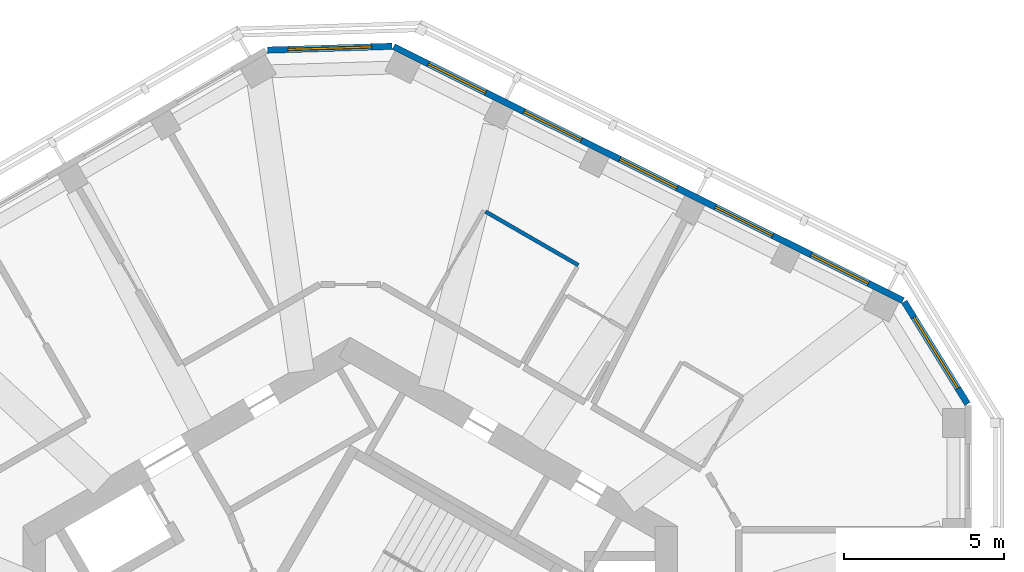
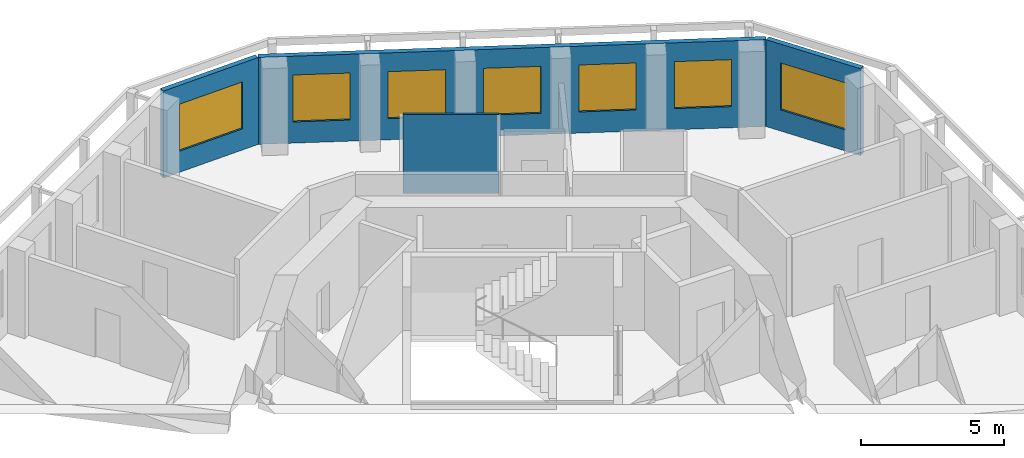
# One storey, part 8 of 11: 7 windows, 4 walls, 7 openings.
"""IFC4 building model written with IfcOpenShell, lengths in metres."""

from ifc_helpers import new_model, si_unit, direction, frame, frame_2d, origin, place, context, subcontext, project, spatial, rectangle, extrude, material, layer, layer_set, type_object, element, fill, save


model = new_model("IFC4")

# Units and contexts
model_context = context("Model", 3, precision=1e-05, world=origin(), true_north=direction((0.0, 1.0)))
body_context = subcontext(model_context, "Body", "Model", "MODEL_VIEW")
ifc_project = project(units=[si_unit("LENGTHUNIT", "METRE"), si_unit("AREAUNIT", "SQUARE_METRE"), si_unit("VOLUMEUNIT", "CUBIC_METRE"), si_unit("PLANEANGLEUNIT", "RADIAN"), si_unit("MASSUNIT", "GRAM", prefix="KILO")], contexts=[model_context])

# Site, building, storey
site_placement = place(None, origin())
site = spatial("IfcSite", under=ifc_project, at=site_placement, CompositionType="ELEMENT")
building_placement = place(site_placement, origin())
building = spatial("IfcBuilding", under=site, at=building_placement, Name="Vanh Sen Convention Tower", CompositionType="ELEMENT")
storey_placement = place(building_placement, frame((0.0, 0.0, 296.800048828125)))
storey = spatial("IfcBuildingStorey", under=building, at=storey_placement, Name="L73", CompositionType="ELEMENT", Elevation=296.800048828125)

# Wall
ifc_material_1 = material(Name="Moisture-resistant gypsum board on steel studs", Category="steel")
ifc_layer_1 = layer(ifc_material_1, 0.1201171875)
ifc_layer_set_1 = layer_set([ifc_layer_1], Name="Moisture-resistant gypsum board on steel studs")
wall_type_1 = type_object("IfcWallType", Name="Bathroom partition 120", PredefinedType="PARTITIONING", material=ifc_layer_set_1)
wall_1_placement = place(storey_placement, frame((4.215087890625, 15.6953125, 0.0), z_axis=(0.0, 0.0, 1.0), x_axis=(0.865989591418, -0.50006202371, 0.0)))
element("IfcWall", 1, at=wall_1_placement, inside=storey, type_object=wall_type_1, Name="Bathroom partition 120", PredefinedType="PARTITIONING", context=body_context, shape_type="SweptSolid", body=[
    extrude(rectangle(XDim=3.33984375, YDim=0.1201171875, at=frame_2d((1.669921875, 0.0))), origin(), (0.0, 0.0, 1.0), 3.349853515625),
])

# Wall, opening, window
ifc_material_2 = material(Name="Insulated lightweight infill wall")
ifc_layer_2 = layer(ifc_material_2, 0.199951171875)
ifc_layer_set_2 = layer_set([ifc_layer_2], Name="Insulated lightweight infill wall")
wall_type_2 = type_object("IfcWallType", Name="External wall 200", PredefinedType="STANDARD", material=ifc_layer_set_2)
wall_2_placement = place(storey_placement, frame((19.235107421875, 9.699951171875, 0.0), z_axis=(0.0, 0.0, 1.0), x_axis=(-0.526233475464, 0.850340125656, 0.0)))
wall_2 = element("IfcWall", 2, at=wall_2_placement, inside=storey, type_object=wall_type_2, Name="External wall CH1 L73", PredefinedType="STANDARD", context=body_context, shape_type="SweptSolid", body=[
    extrude(rectangle(XDim=3.746826171875, YDim=0.199951171875, at=frame_2d((1.87353515625, 0.0))), origin(), (0.0, 0.0, 1.0), 3.699951171875),
])
opening_1_placement = place(wall_2_placement, frame((0.573486328125, 0.0, 0.89990234375)))
opening_1 = element("IfcOpeningElement", 3, at=opening_1_placement, cuts=wall_2, Name="Opening WO6-CH11", PredefinedType="OPENING", context=body_context, shape_type="SweptSolid", body=[
    extrude(rectangle(XDim=2.60009765625, YDim=2.0, at=frame_2d((1.300048828125, 1.0))), frame((0.0, 0.10986328125, 0.0), z_axis=(0.0, -1.0, 0.0), x_axis=(1.0, 0.0, 0.0)), (0.0, 0.0, 1.0), 0.219970703125),
])
ifc_material_3 = material(Name="Aluminium frame with clear low-emissivity glass", Category="aluminium")
window_type_1 = type_object("IfcWindowType", Name="Office window 2600 x 2000", PartitioningType="SINGLE_PANEL", PredefinedType="WINDOW", material=ifc_material_3)
window_1_placement = place(opening_1_placement, origin())
window_1 = element("IfcWindow", 4, at=window_1_placement, inside=storey, type_object=window_type_1, Name="Window WO6-CH11", OverallHeight=2.0, OverallWidth=2.60009765625, PartitioningType="SINGLE_PANEL", PredefinedType="WINDOW", context=body_context, shape_type="SweptSolid", body=[
    extrude(rectangle(XDim=2.60009765625, YDim=2.0, at=frame_2d((1.300048828125, 1.0))), frame((0.0, 0.030029296875, 0.0), z_axis=(0.0, -1.0, 0.0), x_axis=(1.0, 0.0, 0.0)), (0.0, 0.0, 1.0), 0.06005859375),
])
fill(opening_1, window_1)

# Wall, openings, windows
wall_3_placement = place(storey_placement, frame((17.222900390625, 12.9228515625, 0.0), z_axis=(0.0, 0.0, 1.0), x_axis=(-0.894930561148, 0.44620543556, 0.0)))
wall_3 = element("IfcWall", 5, at=wall_3_placement, inside=storey, type_object=wall_type_2, Name="External wall NE L73", PredefinedType="STANDARD", context=body_context, shape_type="SweptSolid", body=[
    extrude(rectangle(XDim=17.7314453125, YDim=0.199951171875, at=frame_2d((8.86572265625, 0.0))), origin(), (0.0, 0.0, 1.0), 3.699951171875),
])
opening_2_placement = place(wall_3_placement, frame((1.20166015625, 0.0, 0.89990234375)))
opening_2 = element("IfcOpeningElement", 6, at=opening_2_placement, cuts=wall_3, Name="Opening WO5-NE1", PredefinedType="OPENING", context=body_context, shape_type="SweptSolid", body=[
    extrude(rectangle(XDim=2.0, YDim=2.0, at=frame_2d((1.0, 1.0))), frame((0.0, 0.10986328125, 0.0), z_axis=(0.0, -1.0, 0.0), x_axis=(1.0, 0.0, 0.0)), (0.0, 0.0, 1.0), 0.219970703125),
])
opening_3_placement = place(wall_3_placement, frame((4.533203125, 0.0, 0.89990234375)))
opening_3 = element("IfcOpeningElement", 7, at=opening_3_placement, cuts=wall_3, Name="Opening WO5-NE2", PredefinedType="OPENING", context=body_context, shape_type="SweptSolid", body=[
    extrude(rectangle(XDim=2.0, YDim=2.0, at=frame_2d((1.0, 1.0))), frame((0.0, 0.10986328125, 0.0), z_axis=(0.0, -1.0, 0.0), x_axis=(1.0, 0.0, 0.0)), (0.0, 0.0, 1.0), 0.219970703125),
])
opening_4_placement = place(wall_3_placement, frame((7.864990234375, 0.0, 0.89990234375)))
opening_4 = element("IfcOpeningElement", 8, at=opening_4_placement, cuts=wall_3, Name="Opening WO5-NE3", PredefinedType="OPENING", context=body_context, shape_type="SweptSolid", body=[
    extrude(rectangle(XDim=2.0, YDim=2.0, at=frame_2d((1.0, 1.0))), frame((0.0, 0.10986328125, 0.0), z_axis=(0.0, -1.0, 0.0), x_axis=(1.0, 0.0, 0.0)), (0.0, 0.0, 1.0), 0.219970703125),
])
opening_5_placement = place(wall_3_placement, frame((11.196533203125, 0.0, 0.89990234375)))
opening_5 = element("IfcOpeningElement", 9, at=opening_5_placement, cuts=wall_3, Name="Opening WO5-NE4", PredefinedType="OPENING", context=body_context, shape_type="SweptSolid", body=[
    extrude(rectangle(XDim=2.0, YDim=2.0, at=frame_2d((1.0, 1.0))), frame((0.0, 0.10986328125, 0.0), z_axis=(0.0, -1.0, 0.0), x_axis=(1.0, 0.0, 0.0)), (0.0, 0.0, 1.0), 0.219970703125),
])
opening_6_placement = place(wall_3_placement, frame((14.5283203125, 0.0, 0.89990234375)))
opening_6 = element("IfcOpeningElement", 10, at=opening_6_placement, cuts=wall_3, Name="Opening WO5-NE5", PredefinedType="OPENING", context=body_context, shape_type="SweptSolid", body=[
    extrude(rectangle(XDim=2.0, YDim=2.0, at=frame_2d((1.0, 1.0))), frame((0.0, 0.10986328125, 0.0), z_axis=(0.0, -1.0, 0.0), x_axis=(1.0, 0.0, 0.0)), (0.0, 0.0, 1.0), 0.219970703125),
])
window_type_2 = type_object("IfcWindowType", Name="Office window 2000 x 2000", PartitioningType="SINGLE_PANEL", PredefinedType="WINDOW", material=ifc_material_3)
window_2_placement = place(opening_2_placement, origin())
window_2 = element("IfcWindow", 11, at=window_2_placement, inside=storey, type_object=window_type_2, Name="Window WO5-NE1", OverallHeight=2.0, OverallWidth=2.0, PartitioningType="SINGLE_PANEL", PredefinedType="WINDOW", context=body_context, shape_type="SweptSolid", body=[
    extrude(rectangle(XDim=2.0, YDim=2.0, at=frame_2d((1.0, 1.0))), frame((0.0, 0.030029296875, 0.0), z_axis=(0.0, -1.0, 0.0), x_axis=(1.0, 0.0, 0.0)), (0.0, 0.0, 1.0), 0.06005859375),
])
fill(opening_2, window_2)
window_3_placement = place(opening_3_placement, origin())
window_3 = element("IfcWindow", 12, at=window_3_placement, inside=storey, type_object=window_type_2, Name="Window WO5-NE2", OverallHeight=2.0, OverallWidth=2.0, PartitioningType="SINGLE_PANEL", PredefinedType="WINDOW", context=body_context, shape_type="SweptSolid", body=[
    extrude(rectangle(XDim=2.0, YDim=2.0, at=frame_2d((1.0, 1.0))), frame((0.0, 0.030029296875, 0.0), z_axis=(0.0, -1.0, 0.0), x_axis=(1.0, 0.0, 0.0)), (0.0, 0.0, 1.0), 0.06005859375),
])
fill(opening_3, window_3)
window_4_placement = place(opening_4_placement, origin())
window_4 = element("IfcWindow", 13, at=window_4_placement, inside=storey, type_object=window_type_2, Name="Window WO5-NE3", OverallHeight=2.0, OverallWidth=2.0, PartitioningType="SINGLE_PANEL", PredefinedType="WINDOW", context=body_context, shape_type="SweptSolid", body=[
    extrude(rectangle(XDim=2.0, YDim=2.0, at=frame_2d((1.0, 1.0))), frame((0.0, 0.030029296875, 0.0), z_axis=(0.0, -1.0, 0.0), x_axis=(1.0, 0.0, 0.0)), (0.0, 0.0, 1.0), 0.06005859375),
])
fill(opening_4, window_4)
window_5_placement = place(opening_5_placement, origin())
window_5 = element("IfcWindow", 14, at=window_5_placement, inside=storey, type_object=window_type_2, Name="Window WO5-NE4", OverallHeight=2.0, OverallWidth=2.0, PartitioningType="SINGLE_PANEL", PredefinedType="WINDOW", context=body_context, shape_type="SweptSolid", body=[
    extrude(rectangle(XDim=2.0, YDim=2.0, at=frame_2d((1.0, 1.0))), frame((0.0, 0.030029296875, 0.0), z_axis=(0.0, -1.0, 0.0), x_axis=(1.0, 0.0, 0.0)), (0.0, 0.0, 1.0), 0.06005859375),
])
fill(opening_5, window_5)
window_6_placement = place(opening_6_placement, origin())
window_6 = element("IfcWindow", 15, at=window_6_placement, inside=storey, type_object=window_type_2, Name="Window WO5-NE5", OverallHeight=2.0, OverallWidth=2.0, PartitioningType="SINGLE_PANEL", PredefinedType="WINDOW", context=body_context, shape_type="SweptSolid", body=[
    extrude(rectangle(XDim=2.0, YDim=2.0, at=frame_2d((1.0, 1.0))), frame((0.0, 0.030029296875, 0.0), z_axis=(0.0, -1.0, 0.0), x_axis=(1.0, 0.0, 0.0)), (0.0, 0.0, 1.0), 0.06005859375),
])
fill(opening_6, window_6)

# Wall, opening, window
wall_4_placement = place(storey_placement, frame((1.306884765625, 20.84521484375, 0.0), z_axis=(0.0, 0.0, 1.0), x_axis=(-0.999533654813, -0.030536419175, 0.0)))
wall_4 = element("IfcWall", 16, at=wall_4_placement, inside=storey, type_object=wall_type_2, Name="External wall CH2 L73", PredefinedType="STANDARD", context=body_context, shape_type="SweptSolid", body=[
    extrude(rectangle(XDim=3.885498046875, YDim=0.199951171875, at=frame_2d((1.94287109375, 0.0))), origin(), (0.0, 0.0, 1.0), 3.699951171875),
])
opening_7_placement = place(wall_4_placement, frame((0.642822265625, 0.0, 0.89990234375)))
opening_7 = element("IfcOpeningElement", 17, at=opening_7_placement, cuts=wall_4, Name="Opening WO6-CH21", PredefinedType="OPENING", context=body_context, shape_type="SweptSolid", body=[
    extrude(rectangle(XDim=2.60009765625, YDim=2.0, at=frame_2d((1.300048828125, 1.0))), frame((0.0, 0.10986328125, 0.0), z_axis=(0.0, -1.0, 0.0), x_axis=(1.0, 0.0, 0.0)), (0.0, 0.0, 1.0), 0.219970703125),
])
window_7_placement = place(opening_7_placement, origin())
window_7 = element("IfcWindow", 18, at=window_7_placement, inside=storey, type_object=window_type_1, Name="Window WO6-CH21", OverallHeight=2.0, OverallWidth=2.60009765625, PartitioningType="SINGLE_PANEL", PredefinedType="WINDOW", context=body_context, shape_type="SweptSolid", body=[
    extrude(rectangle(XDim=2.60009765625, YDim=2.0, at=frame_2d((1.300048828125, 1.0))), frame((0.0, 0.030029296875, 0.0), z_axis=(0.0, -1.0, 0.0), x_axis=(1.0, 0.0, 0.0)), (0.0, 0.0, 1.0), 0.06005859375),
])
fill(opening_7, window_7)

save(model, "model.ifc")
